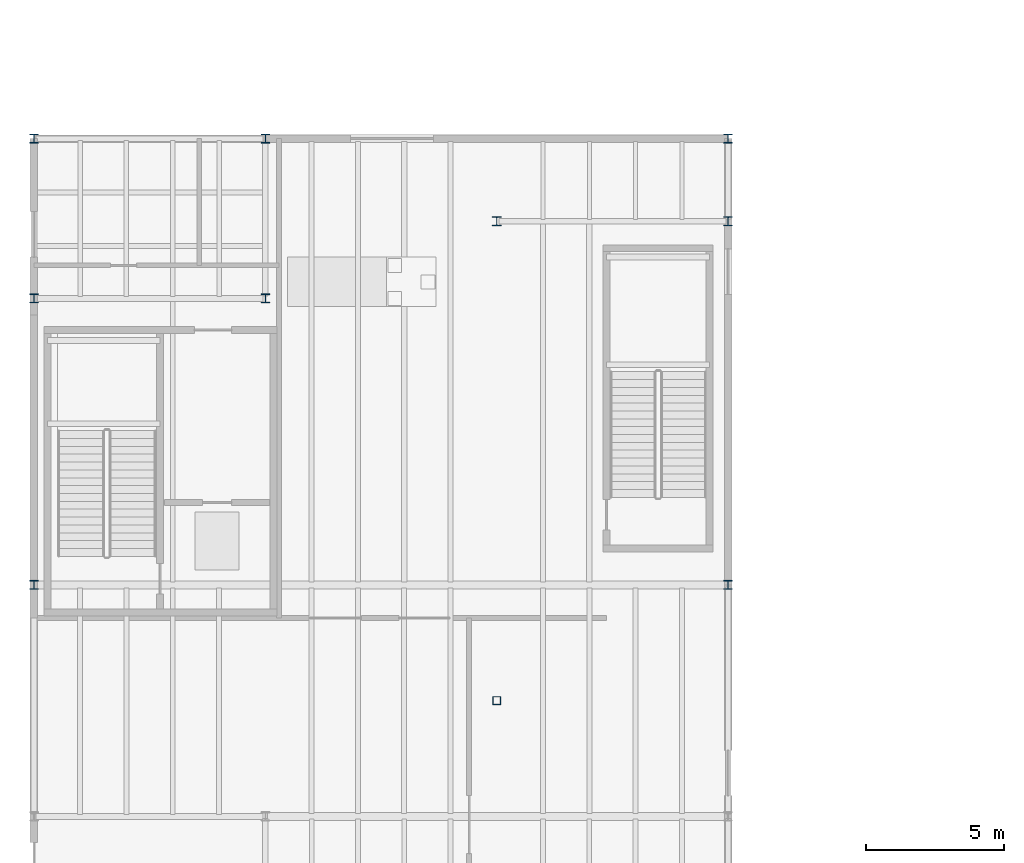
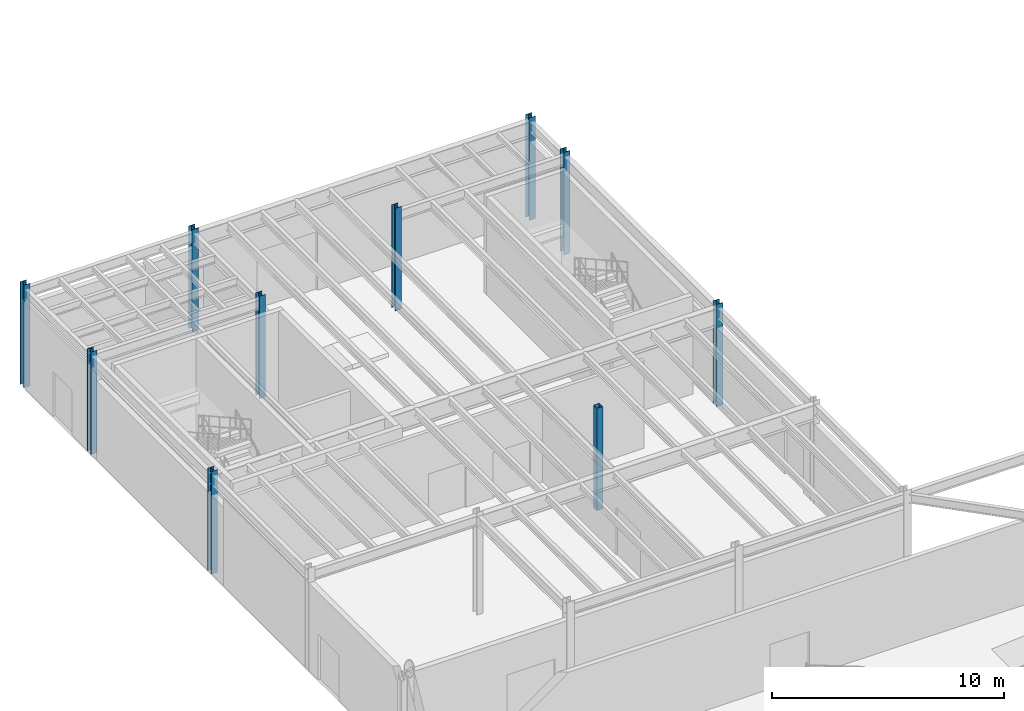
# One storey, part 12 of 87: 10 columns.
"""IFC4 building model written with IfcOpenShell, lengths in metres."""

from ifc_helpers import new_model, si_unit, direction, frame, origin, origin_2d, place, context, subcontext, project, spatial, hollow_rectangle, i_section, extrude, material, material_profile, profile_set, type_object, element, save


model = new_model("IFC4")

# Units and contexts
model_context = context("Model", 3, precision=1e-05, world=origin(), true_north=direction((0.0, 1.0)))
body_context = subcontext(model_context, "Body", "Model", "MODEL_VIEW")
ifc_project = project(units=[si_unit("LENGTHUNIT", "METRE"), si_unit("AREAUNIT", "SQUARE_METRE"), si_unit("VOLUMEUNIT", "CUBIC_METRE"), si_unit("PLANEANGLEUNIT", "RADIAN"), si_unit("MASSUNIT", "GRAM", prefix="KILO")], contexts=[model_context])

# Site, building, storey
site_placement = place(None, origin())
site = spatial("IfcSite", under=ifc_project, at=site_placement, CompositionType="ELEMENT")
building_placement = place(site_placement, origin())
building = spatial("IfcBuilding", under=site, at=building_placement, Name="Selat Folded Stagehouse", CompositionType="ELEMENT")
storey_placement = place(building_placement, origin())
storey = spatial("IfcBuildingStorey", under=building, at=storey_placement, Name="L00", CompositionType="ELEMENT", Elevation=0.0)

# Columns
ifc_material = material(Name="Steel S355", Category="steel")
ifc_material_profile_1 = material_profile(ifc_material, i_section(OverallWidth=0.311279296875, OverallDepth=0.3271484375, WebThickness=0.015869140625, FlangeThickness=0.02490234375, FilletRadius=0.01513671875, at=origin_2d()), Name="UKC 305x305x158")
ifc_profile_set_1 = profile_set([ifc_material_profile_1], Name="Steel S355")
column_type_1 = type_object("IfcColumnType", Name="COL-UKC-305x305x158", PredefinedType="COLUMN", material=ifc_profile_set_1)
for number, where, z_axis, x_axis, name in (
    (1, (0.0, 70.800048828125, 0.0), (0.0, 0.0, 1.0), (1.0, 0.0, 0.0), "L00 column STK-V4-02"),
    (2, (0.0, 81.199951171875, 0.0), (0.0, 0.0, 1.0), (1.0, 0.0, 0.0), "L00 column STK-V4-03"),
    (3, (0.0, 87.0, 0.0), (0.0, 0.0, 1.0), (1.0, 0.0, 0.0), "L00 column STK-V4-04"),
    (4, (8.39990234375, 81.199951171875, 0.0), (0.0, 0.0, 1.0), (1.0, 0.0, 0.0), "L00 column STK-V4-06"),
    (5, (8.39990234375, 87.0, 0.0), (0.0, 0.0, 1.0), (1.0, 0.0, 0.0), "L00 column STK-V4-07"),
    (6, (16.800048828125, 84.0, 0.0), (0.0, 0.0, 1.0), (1.0, 0.0, 0.0), "L00 column STK-V4-08"),
    (7, (25.199951171875, 70.800048828125, 0.0), (0.0, 0.0, 1.0), (1.0, 0.0, 0.0), "L00 column STK-V4-11"),
    (8, (25.199951171875, 84.0, 0.0), (0.0, 0.0, 1.0), (1.0, 0.0, 0.0), "L00 column STK-V4-12"),
    (9, (25.199951171875, 87.0, 0.0), (0.0, 0.0, 1.0), (1.0, 0.0, 0.0), "L00 column STK-V4-13"),
):
    element("IfcColumn", number, at=place(storey_placement, frame(where, z_axis=z_axis, x_axis=x_axis)), inside=storey, type_object=column_type_1, Name=name, PredefinedType="COLUMN", context=body_context, shape_type="SweptSolid", body=[
        extrude(i_section(OverallWidth=0.311279296875, OverallDepth=0.3271484375, WebThickness=0.015869140625, FlangeThickness=0.02490234375, FilletRadius=0.01513671875, at=origin_2d()), origin(), (0.0, 0.0, 1.0), 5.39990234375),
    ])
ifc_material_profile_2 = material_profile(ifc_material, hollow_rectangle(XDim=0.300048828125, YDim=0.300048828125, WallThickness=0.01611328125, at=origin_2d()), Name="SHS 300x300x16.0")
ifc_profile_set_2 = profile_set([ifc_material_profile_2], Name="Steel S355")
column_type_2 = type_object("IfcColumnType", Name="PIL-SHS-300x300", PredefinedType="PILASTER", material=ifc_profile_set_2)
column_placement = place(storey_placement, frame((16.800048828125, 66.60009765625, 0.0), z_axis=(0.0, 0.0, 1.0), x_axis=(1.0, 0.0, 0.0)))
element("IfcColumn", 10, at=column_placement, inside=storey, type_object=column_type_2, Name="L00 pilaster 5", PredefinedType="PILASTER", context=body_context, shape_type="SweptSolid", body=[
    extrude(hollow_rectangle(XDim=0.300048828125, YDim=0.300048828125, WallThickness=0.01611328125, at=origin_2d()), origin(), (0.0, 0.0, 1.0), 5.39990234375),
])

save(model, "model.ifc")
